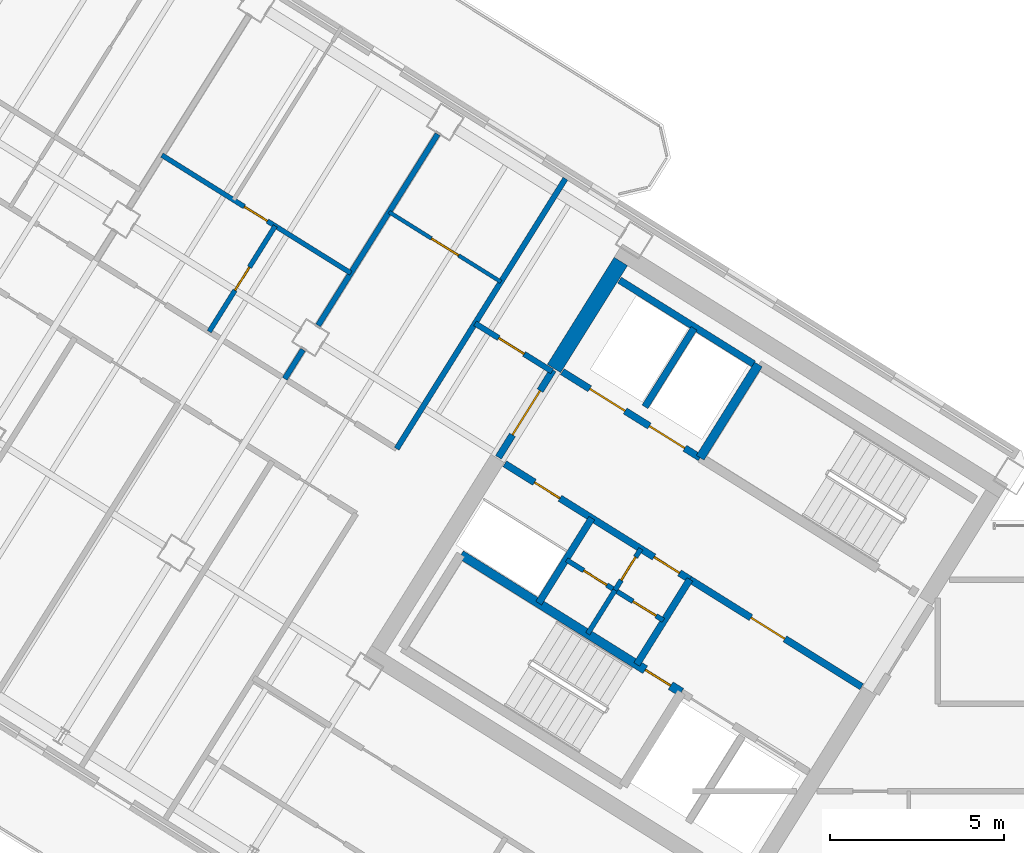
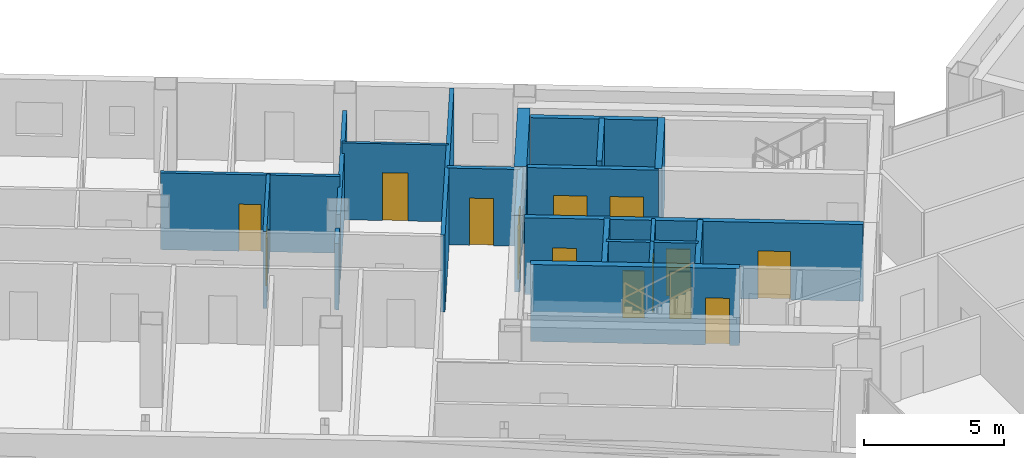
# One storey, part 17 of 29: 21 walls, 14 doors, 14 openings.
"""IFC4 building model written with IfcOpenShell, lengths in metres."""

from ifc_helpers import new_model, si_unit, direction, frame, frame_2d, origin, place, context, subcontext, project, spatial, rectangle, extrude, source, transform, mapped, material, layer, layer_set, type_object, element, fill, save


model = new_model("IFC4")

# Units and contexts
model_context = context("Model", 3, precision=1e-05, world=origin(), true_north=direction((0.0, 1.0)))
body_context = subcontext(model_context, "Body", "Model", "MODEL_VIEW")
ifc_project = project(units=[si_unit("LENGTHUNIT", "METRE"), si_unit("AREAUNIT", "SQUARE_METRE"), si_unit("VOLUMEUNIT", "CUBIC_METRE"), si_unit("PLANEANGLEUNIT", "RADIAN"), si_unit("MASSUNIT", "GRAM", prefix="KILO")], contexts=[model_context])

# Site, building, storey
site_placement = place(None, origin())
site = spatial("IfcSite", under=ifc_project, at=site_placement, CompositionType="ELEMENT")
building_placement = place(site_placement, origin())
building = spatial("IfcBuilding", under=site, at=building_placement, Name="Tlacorven Tower", CompositionType="ELEMENT")
storey_placement = place(building_placement, frame((0.0, 0.0, 238.5)))
storey = spatial("IfcBuildingStorey", under=building, at=storey_placement, Name="L60", CompositionType="ELEMENT", Elevation=238.5)

# Wall
ifc_material_1 = material(Name="Concrete C50/60", Category="concrete")
ifc_layer_1 = layer(ifc_material_1, 0.449951171875)
ifc_layer_set_1 = layer_set([ifc_layer_1], Name="Concrete C50/60")
wall_type_1 = type_object("IfcWallType", Name="WL-COR-450", PredefinedType="SHEAR", material=ifc_layer_set_1)
wall_1_placement = place(storey_placement, frame((29.543701171875, 30.636474609375, 0.0), z_axis=(0.0, 0.0, 1.0), x_axis=(-0.529902075036, -0.848058836916, 0.0)))
element("IfcWall", 1, at=wall_1_placement, inside=storey, type_object=wall_type_1, Name="L60 W core end wall E2.1", PredefinedType="SHEAR", context=body_context, shape_type="SweptSolid", body=[
    extrude(rectangle(XDim=3.625, YDim=0.449951171875, at=frame_2d((1.8125, 0.0))), origin(), (0.0, 0.0, 1.0), 3.35009765625),
])

# Wall, opening, door
ifc_material_2 = material(Name="Gypsum plasterboard acoustic partition", Category="gypsum")
ifc_layer_2 = layer(ifc_material_2, 0.159912109375)
ifc_layer_set_2 = layer_set([ifc_layer_2], Name="Gypsum plasterboard acoustic partition")
wall_type_2 = type_object("IfcWallType", Name="WL-DEM-160", PredefinedType="PARTITIONING", material=ifc_layer_set_2)
wall_2_placement = place(storey_placement, frame((27.56982421875, 27.4775390625, 0.0), z_axis=(0.0, 0.0, 1.0), x_axis=(-0.848050851465, 0.529914854792, 0.0)))
wall_2 = element("IfcWall", 2, at=wall_2_placement, inside=storey, type_object=wall_type_2, Name="L60 partition 38", PredefinedType="PARTITIONING", context=body_context, shape_type="SweptSolid", body=[
    extrude(rectangle(XDim=2.60986328125, YDim=0.159912109375, at=frame_2d((1.304931640625, 0.0))), origin(), (0.0, 0.0, 1.0), 3.340087890625),
])
opening_1_placement = place(wall_2_placement, frame((0.949951171875, 0.0, 0.0)))
opening_1 = element("IfcOpeningElement", 3, at=opening_1_placement, cuts=wall_2, Name="Opening D19", PredefinedType="OPENING", context=body_context, shape_type="SweptSolid", body=[
    extrude(rectangle(XDim=0.860107421875, YDim=2.050048828125, at=frame_2d((0.43017578125, 1.02490234375))), frame((0.0, 0.08984375, 0.0), z_axis=(0.0, -1.0, 0.0), x_axis=(1.0, 0.0, 0.0)), (0.0, 0.0, 1.0), 0.179931640625),
])
ifc_material_3 = material(Name="Fire-rated steel door assembly", Category="steel")
door_type_1 = type_object("IfcDoorType", Name="DR-RSR-FD60-0860", OperationType="NOTDEFINED", PredefinedType="DOOR", material=ifc_material_3)
shared_shape_1 = source(origin(), body_context, "Body", "SweptSolid", [
    extrude(rectangle(XDim=0.860107421875, YDim=2.050048828125, at=frame_2d((0.43017578125, 1.02490234375))), frame((0.0, 0.02490234375, 0.0), z_axis=(0.0, -1.0, 0.0), x_axis=(1.0, 0.0, 0.0)), (0.0, 0.0, 1.0), 0.050048828125),
])
door_1_placement = place(opening_1_placement, frame((0.860107421875, 0.0, 0.0), z_axis=(0.0, 0.0, 1.0), x_axis=(-1.0, 0.0, 0.0)))
door_1 = element("IfcDoor", 4, at=door_1_placement, inside=storey, type_object=door_type_1, Name="L60 door 021", OperationType="SINGLE_SWING_LEFT", OverallHeight=2.050048828125, OverallWidth=0.860107421875, PredefinedType="DOOR", context=body_context, shape_type="MappedRepresentation", body=[
    mapped(shared_shape_1, transform((0.0, 0.0, 0.0), scale=1.0)),
])
fill(opening_1, door_1)

# Walls
wall_3_placement = place(storey_placement, frame((27.952880859375, 33.01611328125, 0.0), z_axis=(0.0, 0.0, 1.0), x_axis=(-0.529903001606, -0.848058257957, 0.0)))
element("IfcWall", 5, at=wall_3_placement, inside=storey, type_object=wall_type_2, Name="L60 partition 40", PredefinedType="PARTITIONING", context=body_context, shape_type="SweptSolid", body=[
    extrude(rectangle(XDim=9.150146484375, YDim=0.159912109375, at=frame_2d((4.5751953125, 0.0))), origin(), (0.0, 0.0, 1.0), 3.340087890625),
])
wall_4_placement = place(storey_placement, frame((24.2822265625, 34.29345703125, 0.0), z_axis=(0.0, 0.0, 1.0), x_axis=(-0.529934553702, -0.848038542045, 0.0)))
element("IfcWall", 6, at=wall_4_placement, inside=storey, type_object=wall_type_2, Name="L60 WS Demising Wall 1", PredefinedType="PARTITIONING", context=body_context, shape_type="SweptSolid", body=[
    extrude(rectangle(XDim=6.47607421875, YDim=0.159912109375, at=frame_2d((3.238037109375, 0.0))), origin(), (0.0, 0.0, 1.0), 2.875),
])
wall_5_placement = place(storey_placement, frame((20.413818359375, 28.102783203125, 0.0), z_axis=(0.0, 0.0, 1.0), x_axis=(-0.529998940003, -0.847998304005, 0.0)))
element("IfcWall", 7, at=wall_5_placement, inside=storey, type_object=wall_type_2, Name="L60 WS Demising Wall 1", PredefinedType="PARTITIONING", context=body_context, shape_type="SweptSolid", body=[
    extrude(rectangle(XDim=0.988037109375, YDim=0.159912109375, at=frame_2d((0.494140625, 0.0))), origin(), (0.0, 0.0, 1.0), 2.875),
])

# Wall, opening, door
ifc_material_4 = material(Name="Gypsum plasterboard partition", Category="gypsum")
ifc_layer_3 = layer(ifc_material_4, 0.110107421875)
ifc_layer_set_3 = layer_set([ifc_layer_3], Name="Gypsum plasterboard partition")
wall_type_3 = type_object("IfcWallType", Name="WL-INT-110", PredefinedType="PARTITIONING", material=ifc_layer_set_3)
wall_6_placement = place(storey_placement, frame((26.099365234375, 30.049560546875, 0.0), z_axis=(0.0, 0.0, 1.0), x_axis=(-0.84803087207, 0.529946827537, 0.0)))
wall_6 = element("IfcWall", 8, at=wall_6_placement, inside=storey, type_object=wall_type_3, Name="L60 partition 50", PredefinedType="PARTITIONING", context=body_context, shape_type="SweptSolid", body=[
    extrude(rectangle(XDim=3.7900390625, YDim=0.110107421875, at=frame_2d((1.89501953125, 0.0))), origin(), (0.0, 0.0, 1.0), 3.340087890625),
])
opening_2_placement = place(wall_6_placement, frame((1.43505859375, 0.0, 0.0)))
opening_2 = element("IfcOpeningElement", 9, at=opening_2_placement, cuts=wall_6, Name="Opening D12", PredefinedType="OPENING", context=body_context, shape_type="SweptSolid", body=[
    extrude(rectangle(XDim=0.919921875, YDim=2.080078125, at=frame_2d((0.4599609375, 1.0400390625))), frame((0.0, 0.06494140625, 0.0), z_axis=(0.0, -1.0, 0.0), x_axis=(1.0, 0.0, 0.0)), (0.0, 0.0, 1.0), 0.130126953125),
])
ifc_material_5 = material(Name="Powder-coated aluminium and timber door", Category="wood")
door_type_2 = type_object("IfcDoorType", Name="DR-INT-ROOM-0920", OperationType="NOTDEFINED", PredefinedType="DOOR", material=ifc_material_5)
shared_shape_2 = source(origin(), body_context, "Body", "SweptSolid", [
    extrude(rectangle(XDim=0.919921875, YDim=2.080078125, at=frame_2d((0.4599609375, 1.0400390625))), frame((0.0, 0.02490234375, 0.0), z_axis=(0.0, -1.0, 0.0), x_axis=(1.0, 0.0, 0.0)), (0.0, 0.0, 1.0), 0.050048828125),
])
door_2_placement = place(opening_2_placement, origin())
door_2 = element("IfcDoor", 10, at=door_2_placement, inside=storey, type_object=door_type_2, Name="L60 door 029", OperationType="SINGLE_SWING_RIGHT", OverallHeight=2.080078125, OverallWidth=0.919921875, PredefinedType="DOOR", context=body_context, shape_type="MappedRepresentation", body=[
    mapped(shared_shape_2, transform((0.0, 0.0, 0.0), scale=1.0)),
])
fill(opening_2, door_2)

ifc_material_6 = material(Name="Moisture-resistant gypsum plumbing wall", Category="gypsum")
ifc_layer_4 = layer(ifc_material_6, 0.139892578125)
ifc_layer_set_4 = layer_set([ifc_layer_4], Name="Moisture-resistant gypsum plumbing wall")
wall_type_4 = type_object("IfcWallType", Name="WL-PLM-140", PredefinedType="PLUMBINGWALL", material=ifc_layer_set_4)
wall_7_placement = place(storey_placement, frame((30.117431640625, 22.383544921875, 0.0), z_axis=(0.0, 0.0, 1.0), x_axis=(-0.529951914384, -0.848027693204, 0.0)))
wall_7 = element("IfcWall", 11, at=wall_7_placement, inside=storey, type_object=wall_type_4, Name="L60 partition 18", PredefinedType="PLUMBINGWALL", context=body_context, shape_type="SweptSolid", body=[
    extrude(rectangle(XDim=1.39990234375, YDim=0.139892578125, at=frame_2d((0.699951171875, 0.0))), origin(), (0.0, 0.0, 1.0), 3.340087890625),
])
opening_3_placement = place(wall_7_placement, frame((0.280029296875, 0.0, 0.0)))
opening_3 = element("IfcOpeningElement", 12, at=opening_3_placement, cuts=wall_7, Name="Opening D22", PredefinedType="OPENING", context=body_context, shape_type="SweptSolid", body=[
    extrude(rectangle(XDim=0.780029296875, YDim=2.050048828125, at=frame_2d((0.39013671875, 1.02490234375))), frame((0.0, 0.080078125, 0.0), z_axis=(0.0, -1.0, 0.0), x_axis=(1.0, 0.0, 0.0)), (0.0, 0.0, 1.0), 0.159912109375),
])
door_type_3 = type_object("IfcDoorType", Name="DR-INT-WET-0780", OperationType="NOTDEFINED", PredefinedType="DOOR", material=ifc_material_5)
shared_shape_3 = source(origin(), body_context, "Body", "SweptSolid", [
    extrude(rectangle(XDim=0.780029296875, YDim=2.050048828125, at=frame_2d((0.39013671875, 1.02490234375))), frame((0.0, 0.02490234375, 0.0), z_axis=(0.0, -1.0, 0.0), x_axis=(1.0, 0.0, 0.0)), (0.0, 0.0, 1.0), 0.050048828125),
])
door_3_placement = place(opening_3_placement, origin())
door_3 = element("IfcDoor", 13, at=door_3_placement, inside=storey, type_object=door_type_3, Name="L60 door 010", OperationType="SINGLE_SWING_LEFT", OverallHeight=2.050048828125, OverallWidth=0.780029296875, PredefinedType="DOOR", context=body_context, shape_type="MappedRepresentation", body=[
    mapped(shared_shape_3, transform((0.0, 0.0, 0.0), scale=1.0)),
])
fill(opening_3, door_3)

# Wall
wall_8_placement = place(storey_placement, frame((29.37548828125, 21.1962890625, 0.0), z_axis=(0.0, 0.0, 1.0), x_axis=(-0.529865479138, -0.848081702443, 0.0)))
element("IfcWall", 14, at=wall_8_placement, inside=storey, type_object=wall_type_4, Name="L60 partition 19", PredefinedType="PLUMBINGWALL", context=body_context, shape_type="SweptSolid", body=[
    extrude(rectangle(XDim=1.47998046875, YDim=0.139892578125, at=frame_2d((0.739990234375, 0.0))), origin(), (0.0, 0.0, 1.0), 3.340087890625),
])

# Wall, openings, doors
wall_9_placement = place(storey_placement, frame((30.766357421875, 20.3271484375, 0.0), z_axis=(0.0, 0.0, 1.0), x_axis=(-0.848052663127, 0.529911955482, 0.0)))
wall_9 = element("IfcWall", 15, at=wall_9_placement, inside=storey, type_object=wall_type_4, Name="L60 partition 20", PredefinedType="PLUMBINGWALL", context=body_context, shape_type="SweptSolid", body=[
    extrude(rectangle(XDim=3.27978515625, YDim=0.139892578125, at=frame_2d((1.639892578125, 0.0))), origin(), (0.0, 0.0, 1.0), 3.340087890625),
])
opening_4_placement = place(wall_9_placement, frame((0.25, 0.0, 0.0)))
opening_4 = element("IfcOpeningElement", 16, at=opening_4_placement, cuts=wall_9, Name="Opening D22", PredefinedType="OPENING", context=body_context, shape_type="SweptSolid", body=[
    extrude(rectangle(XDim=0.780029296875, YDim=2.050048828125, at=frame_2d((0.39013671875, 1.02490234375))), frame((0.0, 0.080078125, 0.0), z_axis=(0.0, -1.0, 0.0), x_axis=(1.0, 0.0, 0.0)), (0.0, 0.0, 1.0), 0.159912109375),
])
opening_5_placement = place(wall_9_placement, frame((1.919921875, 0.0, 0.0)))
opening_5 = element("IfcOpeningElement", 17, at=opening_5_placement, cuts=wall_9, Name="Opening D22", PredefinedType="OPENING", context=body_context, shape_type="SweptSolid", body=[
    extrude(rectangle(XDim=0.780029296875, YDim=2.050048828125, at=frame_2d((0.39013671875, 1.02490234375))), frame((0.0, 0.080078125, 0.0), z_axis=(0.0, -1.0, 0.0), x_axis=(1.0, 0.0, 0.0)), (0.0, 0.0, 1.0), 0.159912109375),
])
door_4_placement = place(opening_4_placement, origin())
door_4 = element("IfcDoor", 18, at=door_4_placement, inside=storey, type_object=door_type_3, Name="L60 door 011", OperationType="SINGLE_SWING_RIGHT", OverallHeight=2.050048828125, OverallWidth=0.780029296875, PredefinedType="DOOR", context=body_context, shape_type="MappedRepresentation", body=[
    mapped(shared_shape_3, transform((0.0, 0.0, 0.0), scale=1.0)),
])
fill(opening_4, door_4)
door_5_placement = place(opening_5_placement, origin())
door_5 = element("IfcDoor", 19, at=door_5_placement, inside=storey, type_object=door_type_3, Name="L60 door 012", OperationType="SINGLE_SWING_LEFT", OverallHeight=2.050048828125, OverallWidth=0.780029296875, PredefinedType="DOOR", context=body_context, shape_type="MappedRepresentation", body=[
    mapped(shared_shape_3, transform((0.0, 0.0, 0.0), scale=1.0)),
])
fill(opening_5, door_5)

# Wall, opening, door
wall_10_placement = place(storey_placement, frame((21.787353515625, 30.30078125, 0.0), z_axis=(0.0, 0.0, 1.0), x_axis=(-0.848049732085, 0.529916646191, 0.0)))
wall_10 = element("IfcWall", 20, at=wall_10_placement, inside=storey, type_object=wall_type_4, Name="L60 partition 52", PredefinedType="PLUMBINGWALL", context=body_context, shape_type="SweptSolid", body=[
    extrude(rectangle(XDim=6.400146484375, YDim=0.139892578125, at=frame_2d((3.2001953125, 0.0))), origin(), (0.0, 0.0, 1.0), 3.340087890625),
])
opening_6_placement = place(wall_10_placement, frame((2.823974609375, 0.0, 0.0)))
opening_6 = element("IfcOpeningElement", 21, at=opening_6_placement, cuts=wall_10, Name="Opening D22", PredefinedType="OPENING", context=body_context, shape_type="SweptSolid", body=[
    extrude(rectangle(XDim=0.780029296875, YDim=2.050048828125, at=frame_2d((0.39013671875, 1.02490234375))), frame((0.0, 0.080078125, 0.0), z_axis=(0.0, -1.0, 0.0), x_axis=(1.0, 0.0, 0.0)), (0.0, 0.0, 1.0), 0.159912109375),
])
door_6_placement = place(opening_6_placement, origin())
door_6 = element("IfcDoor", 22, at=door_6_placement, inside=storey, type_object=door_type_3, Name="L60 door 032", OperationType="SINGLE_SWING_LEFT", OverallHeight=2.050048828125, OverallWidth=0.780029296875, PredefinedType="DOOR", context=body_context, shape_type="MappedRepresentation", body=[
    mapped(shared_shape_3, transform((0.0, 0.0, 0.0), scale=1.0)),
])
fill(opening_6, door_6)

wall_11_placement = place(storey_placement, frame((19.6162109375, 31.657470703125, 0.0), z_axis=(0.0, 0.0, 1.0), x_axis=(-0.529876336437, -0.84807491891, 0.0)))
wall_11 = element("IfcWall", 23, at=wall_11_placement, inside=storey, type_object=wall_type_4, Name="L60 partition 53", PredefinedType="PLUMBINGWALL", context=body_context, shape_type="SweptSolid", body=[
    extrude(rectangle(XDim=3.580078125, YDim=0.139892578125, at=frame_2d((1.7900390625, 0.0))), origin(), (0.0, 0.0, 1.0), 3.340087890625),
])
opening_7_placement = place(wall_11_placement, frame((1.39990234375, 0.0, 0.0)))
opening_7 = element("IfcOpeningElement", 24, at=opening_7_placement, cuts=wall_11, Name="Opening D22", PredefinedType="OPENING", context=body_context, shape_type="SweptSolid", body=[
    extrude(rectangle(XDim=0.780029296875, YDim=2.050048828125, at=frame_2d((0.39013671875, 1.02490234375))), frame((0.0, 0.080078125, 0.0), z_axis=(0.0, -1.0, 0.0), x_axis=(1.0, 0.0, 0.0)), (0.0, 0.0, 1.0), 0.159912109375),
])
door_7_placement = place(opening_7_placement, origin())
door_7 = element("IfcDoor", 25, at=door_7_placement, inside=storey, type_object=door_type_3, Name="L60 door 033", OperationType="SINGLE_SWING_RIGHT", OverallHeight=2.050048828125, OverallWidth=0.780029296875, PredefinedType="DOOR", context=body_context, shape_type="MappedRepresentation", body=[
    mapped(shared_shape_3, transform((0.0, 0.0, 0.0), scale=1.0)),
])
fill(opening_7, door_7)

ifc_material_7 = material(Name="Concrete C40/50", Category="concrete")
ifc_layer_5 = layer(ifc_material_7, 0.199951171875)
ifc_layer_set_5 = layer_set([ifc_layer_5], Name="Concrete C40/50")
wall_type_5 = type_object("IfcWallType", Name="WL-SHF-200", PredefinedType="STANDARD", material=ifc_layer_set_5)
wall_12_placement = place(storey_placement, frame((36.459228515625, 18.420654296875, 0.0), z_axis=(0.0, 0.0, 1.0), x_axis=(-0.848059591691, 0.529900867089, 0.0)))
wall_12 = element("IfcWall", 26, at=wall_12_placement, inside=storey, type_object=wall_type_5, Name="L60 Core W Smoke Lobby Wall", PredefinedType="STANDARD", context=body_context, shape_type="SweptSolid", body=[
    extrude(rectangle(XDim=5.818115234375, YDim=0.199951171875, at=frame_2d((2.9091796875, 0.0))), origin(), (0.0, 0.0, 1.0), 3.340087890625),
])
opening_8_placement = place(wall_12_placement, frame((2.597900390625, 0.0, 0.0)))
opening_8 = element("IfcOpeningElement", 27, at=opening_8_placement, cuts=wall_12, Name="Opening D09", PredefinedType="OPENING", context=body_context, shape_type="SweptSolid", body=[
    extrude(rectangle(XDim=1.14990234375, YDim=2.10009765625, at=frame_2d((0.574951171875, 1.050048828125))), frame((0.0, 0.10986328125, 0.0), z_axis=(0.0, -1.0, 0.0), x_axis=(1.0, 0.0, 0.0)), (0.0, 0.0, 1.0), 0.219970703125),
])
door_type_4 = type_object("IfcDoorType", Name="DR-FFL-FD60-1150", OperationType="NOTDEFINED", PredefinedType="DOOR", material=ifc_material_3)
shared_shape_4 = source(origin(), body_context, "Body", "SweptSolid", [
    extrude(rectangle(XDim=1.14990234375, YDim=2.10009765625, at=frame_2d((0.574951171875, 1.050048828125))), frame((0.0, 0.02490234375, 0.0), z_axis=(0.0, -1.0, 0.0), x_axis=(1.0, 0.0, 0.0)), (0.0, 0.0, 1.0), 0.050048828125),
])
door_8_placement = place(opening_8_placement, origin())
door_8 = element("IfcDoor", 28, at=door_8_placement, inside=storey, type_object=door_type_4, Name="L60 Firefighting Lobby W Fire Door", OperationType="SINGLE_SWING_RIGHT", OverallHeight=2.10009765625, OverallWidth=1.14990234375, PredefinedType="DOOR", context=body_context, shape_type="MappedRepresentation", body=[
    mapped(shared_shape_4, transform((0.0, 0.0, 0.0), scale=1.0)),
])
fill(opening_8, door_8)

# Wall, openings, doors
wall_13_placement = place(storey_placement, frame((31.82177734375, 24.99755859375, 0.0), z_axis=(0.0, 0.0, 1.0), x_axis=(-0.848054125777, 0.529909614701, 0.0)))
wall_13 = element("IfcWall", 29, at=wall_13_placement, inside=storey, type_object=wall_type_5, Name="L60 Core W South Lift Shaft Wall", PredefinedType="STANDARD", context=body_context, shape_type="SweptSolid", body=[
    extrude(rectangle(XDim=4.66796875, YDim=0.199951171875, at=frame_2d((2.333984375, 0.0))), origin(), (0.0, 0.0, 1.0), 3.340087890625),
])
opening_9_placement = place(wall_13_placement, frame((0.52001953125, 0.0, 0.0)))
opening_9 = element("IfcOpeningElement", 30, at=opening_9_placement, cuts=wall_13, Name="Opening LD02", PredefinedType="OPENING", context=body_context, shape_type="SweptSolid", body=[
    extrude(rectangle(XDim=1.199951171875, YDim=2.14990234375, at=frame_2d((0.60009765625, 1.074951171875))), frame((0.0, 0.10986328125, 0.0), z_axis=(0.0, -1.0, 0.0), x_axis=(1.0, 0.0, 0.0)), (0.0, 0.0, 1.0), 0.219970703125),
])
opening_10_placement = place(wall_13_placement, frame((2.5400390625, 0.0, 0.0)))
opening_10 = element("IfcOpeningElement", 31, at=opening_10_placement, cuts=wall_13, Name="Opening LD02", PredefinedType="OPENING", context=body_context, shape_type="SweptSolid", body=[
    extrude(rectangle(XDim=1.199951171875, YDim=2.14990234375, at=frame_2d((0.60009765625, 1.074951171875))), frame((0.0, 0.10986328125, 0.0), z_axis=(0.0, -1.0, 0.0), x_axis=(1.0, 0.0, 0.0)), (0.0, 0.0, 1.0), 0.219970703125),
])
door_type_5 = type_object("IfcDoorType", Name="DR-LFT-SLID-1200", OperationType="DOUBLE_DOOR_SLIDING", PredefinedType="DOOR", material=ifc_material_3)
shared_shape_5 = source(origin(), body_context, "Body", "SweptSolid", [
    extrude(rectangle(XDim=1.199951171875, YDim=2.14990234375, at=frame_2d((0.60009765625, 1.074951171875))), frame((0.0, 0.02490234375, 0.0), z_axis=(0.0, -1.0, 0.0), x_axis=(1.0, 0.0, 0.0)), (0.0, 0.0, 1.0), 0.050048828125),
])
door_9_placement = place(opening_9_placement, origin())
door_9 = element("IfcDoor", 32, at=door_9_placement, inside=storey, type_object=door_type_5, Name="L60 Lift PL-H1 Sliding Landing Door", OperationType="DOUBLE_DOOR_SLIDING", OverallHeight=2.14990234375, OverallWidth=1.199951171875, PredefinedType="DOOR", context=body_context, shape_type="MappedRepresentation", body=[
    mapped(shared_shape_5, transform((0.0, 0.0, 0.0), scale=1.0)),
])
fill(opening_9, door_9)
door_10_placement = place(opening_10_placement, origin())
door_10 = element("IfcDoor", 33, at=door_10_placement, inside=storey, type_object=door_type_5, Name="L60 Lift PL-H2 Sliding Landing Door", OperationType="DOUBLE_DOOR_SLIDING", OverallHeight=2.14990234375, OverallWidth=1.199951171875, PredefinedType="DOOR", context=body_context, shape_type="MappedRepresentation", body=[
    mapped(shared_shape_5, transform((0.0, 0.0, 0.0), scale=1.0)),
])
fill(opening_10, door_10)

# Walls
wall_14_placement = place(storey_placement, frame((31.645263671875, 28.716064453125, 0.0), z_axis=(0.0, 0.0, 1.0), x_axis=(-0.52986693015, -0.848080795876, 0.0)))
element("IfcWall", 34, at=wall_14_placement, inside=storey, type_object=wall_type_5, Name="L60 partition 12", PredefinedType="STANDARD", context=body_context, shape_type="SweptSolid", body=[
    extrude(rectangle(XDim=2.659912109375, YDim=0.199951171875, at=frame_2d((1.330078125, 0.0))), origin(), (0.0, 0.0, 1.0), 3.340087890625),
])
wall_15_placement = place(storey_placement, frame((33.362548828125, 27.690185546875, 0.0), z_axis=(0.0, 0.0, 1.0), x_axis=(-0.84804957148, 0.529916903215, 0.0)))
element("IfcWall", 35, at=wall_15_placement, inside=storey, type_object=wall_type_5, Name="L60 partition 14", PredefinedType="STANDARD", context=body_context, shape_type="SweptSolid", body=[
    extrude(rectangle(XDim=4.547607421875, YDim=0.199951171875, at=frame_2d((2.27392578125, 0.0))), origin(), (0.0, 0.0, 1.0), 3.340087890625),
])
for number, where, z_axis, x_axis, name in (
    (36, (31.525146484375, 21.503662109375, 0.0), (0.0, 0.0, 1.0), (-0.529907497854, -0.848055448493, 0.0), "L60 partition 15"),
    (37, (28.709716796875, 23.26318359375, 0.0), (0.0, 0.0, 1.0), (-0.529907497854, -0.848055448493, 0.0), "L60 partition 16"),
):
    element("IfcWall", number, at=place(storey_placement, frame(where, z_axis=z_axis, x_axis=x_axis)), inside=storey, type_object=wall_type_5, Name=name, PredefinedType="STANDARD", context=body_context, shape_type="SweptSolid", body=[
        extrude(rectangle(XDim=2.8798828125, YDim=0.199951171875, at=frame_2d((1.43994140625, 0.0))), origin(), (0.0, 0.0, 1.0), 3.340087890625),
    ])

# Wall, openings, doors
wall_16_placement = place(storey_placement, frame((31.525146484375, 21.503662109375, 0.0), z_axis=(0.0, 0.0, 1.0), x_axis=(-0.848042066329, 0.529928913853, 0.0)))
wall_16 = element("IfcWall", 38, at=wall_16_placement, inside=storey, type_object=wall_type_5, Name="L60 Core W North Service Wall", PredefinedType="STANDARD", context=body_context, shape_type="SweptSolid", body=[
    extrude(rectangle(XDim=6.267822265625, YDim=0.199951171875, at=frame_2d((3.1337890625, 0.0))), origin(), (0.0, 0.0, 1.0), 3.340087890625),
])
opening_11_placement = place(wall_16_placement, frame((4.39990234375, 0.0, 0.0)))
opening_11 = element("IfcOpeningElement", 39, at=opening_11_placement, cuts=wall_16, Name="Opening D19", PredefinedType="OPENING", context=body_context, shape_type="SweptSolid", body=[
    extrude(rectangle(XDim=0.860107421875, YDim=2.050048828125, at=frame_2d((0.43017578125, 1.02490234375))), frame((0.0, 0.10986328125, 0.0), z_axis=(0.0, -1.0, 0.0), x_axis=(1.0, 0.0, 0.0)), (0.0, 0.0, 1.0), 0.219970703125),
])
opening_12_placement = place(wall_16_placement, frame((0.35009765625, 0.0, 0.0)))
opening_12 = element("IfcOpeningElement", 40, at=opening_12_placement, cuts=wall_16, Name="Opening D19", PredefinedType="OPENING", context=body_context, shape_type="SweptSolid", body=[
    extrude(rectangle(XDim=0.860107421875, YDim=2.050048828125, at=frame_2d((0.43017578125, 1.02490234375))), frame((0.0, 0.10986328125, 0.0), z_axis=(0.0, -1.0, 0.0), x_axis=(1.0, 0.0, 0.0)), (0.0, 0.0, 1.0), 0.219970703125),
])
door_11_placement = place(opening_11_placement, frame((0.860107421875, 0.0, 0.0), z_axis=(0.0, 0.0, 1.0), x_axis=(-1.0, 0.0, 0.0)))
door_11 = element("IfcDoor", 41, at=door_11_placement, inside=storey, type_object=door_type_1, Name="L60 Electrical Riser Access Door W", OperationType="SINGLE_SWING_LEFT", OverallHeight=2.050048828125, OverallWidth=0.860107421875, PredefinedType="DOOR", context=body_context, shape_type="MappedRepresentation", body=[
    mapped(shared_shape_1, transform((0.0, 0.0, 0.0), scale=1.0)),
])
fill(opening_11, door_11)
door_12_placement = place(opening_12_placement, frame((0.860107421875, 0.0, 0.0), z_axis=(0.0, 0.0, 1.0), x_axis=(-1.0, 0.0, 0.0)))
door_12 = element("IfcDoor", 42, at=door_12_placement, inside=storey, type_object=door_type_1, Name="L60 Cleaning Room Access Door W", OperationType="SINGLE_SWING_RIGHT", OverallHeight=2.050048828125, OverallWidth=0.860107421875, PredefinedType="DOOR", context=body_context, shape_type="MappedRepresentation", body=[
    mapped(shared_shape_1, transform((0.0, 0.0, 0.0), scale=1.0)),
])
fill(opening_12, door_12)

# Wall, opening, door
wall_17_placement = place(storey_placement, frame((27.59619140625, 27.52001953125, 0.0), z_axis=(0.0, 0.0, 1.0), x_axis=(-0.529865479138, -0.848081702443, 0.0)))
wall_17 = element("IfcWall", 43, at=wall_17_placement, inside=storey, type_object=wall_type_5, Name="L60 partition 37", PredefinedType="STANDARD", context=body_context, shape_type="SweptSolid", body=[
    extrude(rectangle(XDim=2.9599609375, YDim=0.199951171875, at=frame_2d((1.47998046875, 0.0))), origin(), (0.0, 0.0, 1.0), 3.340087890625),
])
opening_13_placement = place(wall_17_placement, frame((0.699951171875, 0.0, 0.0)))
opening_13 = element("IfcOpeningElement", 44, at=opening_13_placement, cuts=wall_17, Name="Opening D10", PredefinedType="OPENING", context=body_context, shape_type="SweptSolid", body=[
    extrude(rectangle(XDim=1.5, YDim=2.14990234375, at=frame_2d((0.75, 1.074951171875))), frame((0.0, 0.10986328125, 0.0), z_axis=(0.0, -1.0, 0.0), x_axis=(1.0, 0.0, 0.0)), (0.0, 0.0, 1.0), 0.219970703125),
])
door_type_6 = type_object("IfcDoorType", Name="DR-LOB-FD60-1500", OperationType="DOUBLE_DOOR_SINGLE_SWING", PredefinedType="DOOR", material=ifc_material_3)
shared_shape_6 = source(origin(), body_context, "Body", "SweptSolid", [
    extrude(rectangle(XDim=1.5, YDim=2.14990234375, at=frame_2d((0.75, 1.074951171875))), frame((0.0, 0.02490234375, 0.0), z_axis=(0.0, -1.0, 0.0), x_axis=(1.0, 0.0, 0.0)), (0.0, 0.0, 1.0), 0.050048828125),
])
door_13_placement = place(opening_13_placement, origin())
door_13 = element("IfcDoor", 45, at=door_13_placement, inside=storey, type_object=door_type_6, Name="L60 door 022", OperationType="DOUBLE_DOOR_SINGLE_SWING", OverallHeight=2.14990234375, OverallWidth=1.5, PredefinedType="DOOR", context=body_context, shape_type="MappedRepresentation", body=[
    mapped(shared_shape_6, transform((0.0, 0.0, 0.0), scale=1.0)),
])
fill(opening_13, door_13)

ifc_layer_6 = layer(ifc_material_1, 0.260009765625)
ifc_layer_set_6 = layer_set([ifc_layer_6], Name="Concrete C50/60")
wall_type_6 = type_object("IfcWallType", Name="WL-STW-260", PredefinedType="SHEAR", material=ifc_layer_set_6)
wall_18_placement = place(storey_placement, frame((31.279541015625, 18.26123046875, 0.0), z_axis=(0.0, 0.0, 1.0), x_axis=(-0.848051618787, 0.529913626805, 0.0)))
wall_18 = element("IfcWall", 46, at=wall_18_placement, inside=storey, type_object=wall_type_6, Name="L60 Stair W1 Lobby Shear Wall", PredefinedType="SHEAR", context=body_context, shape_type="SweptSolid", body=[
    extrude(rectangle(XDim=7.4599609375, YDim=0.260009765625, at=frame_2d((3.72998046875, 0.0))), origin(), (0.0, 0.0, 1.0), 3.35009765625),
])
opening_14_placement = place(wall_18_placement, frame((0.360107421875, 0.0, 0.0)))
opening_14 = element("IfcOpeningElement", 47, at=opening_14_placement, cuts=wall_18, Name="Opening D19", PredefinedType="OPENING", context=body_context, shape_type="SweptSolid", body=[
    extrude(rectangle(XDim=0.860107421875, YDim=2.050048828125, at=frame_2d((0.43017578125, 1.02490234375))), frame((0.0, 0.14013671875, 0.0), z_axis=(0.0, -1.0, 0.0), x_axis=(1.0, 0.0, 0.0)), (0.0, 0.0, 1.0), 0.280029296875),
])
door_14_placement = place(opening_14_placement, frame((0.860107421875, 0.0, 0.0), z_axis=(0.0, 0.0, 1.0), x_axis=(-1.0, 0.0, 0.0)))
door_14 = element("IfcDoor", 48, at=door_14_placement, inside=storey, type_object=door_type_1, Name="L60 Exit Stair W1 Fire Door", OperationType="SINGLE_SWING_LEFT", OverallHeight=2.050048828125, OverallWidth=0.860107421875, PredefinedType="DOOR", context=body_context, shape_type="MappedRepresentation", body=[
    mapped(shared_shape_1, transform((0.0, 0.0, 0.0), scale=1.0)),
])
fill(opening_14, door_14)

# Wall
wall_19_placement = place(storey_placement, frame((33.496337890625, 27.677490234375, 0.0), z_axis=(0.0, 0.0, 1.0), x_axis=(-0.529908658664, -0.84805472316, 0.0)))
element("IfcWall", 49, at=wall_19_placement, inside=storey, type_object=wall_type_6, Name="L60 Stair W2 East Shear Wall", PredefinedType="SHEAR", context=body_context, shape_type="SweptSolid", body=[
    extrude(rectangle(XDim=3.16015625, YDim=0.260009765625, at=frame_2d((1.580078125, 0.0))), origin(), (0.0, 0.0, 1.0), 3.35009765625),
])

save(model, "model.ifc")
